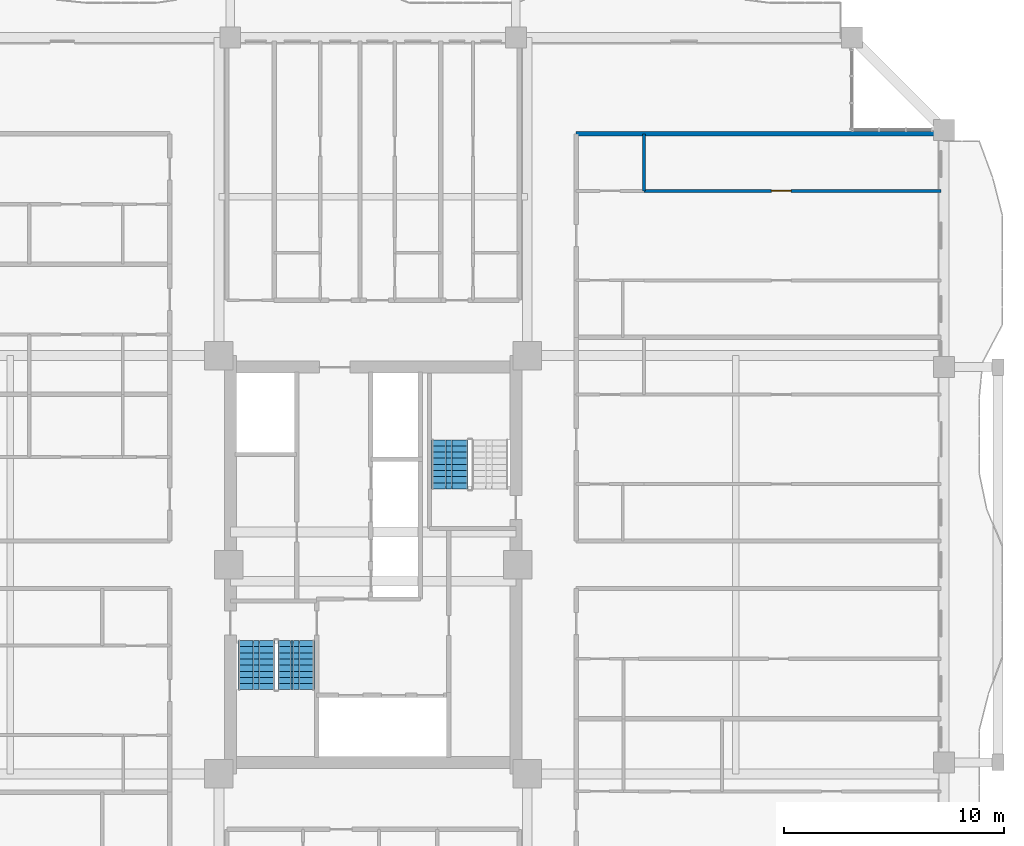
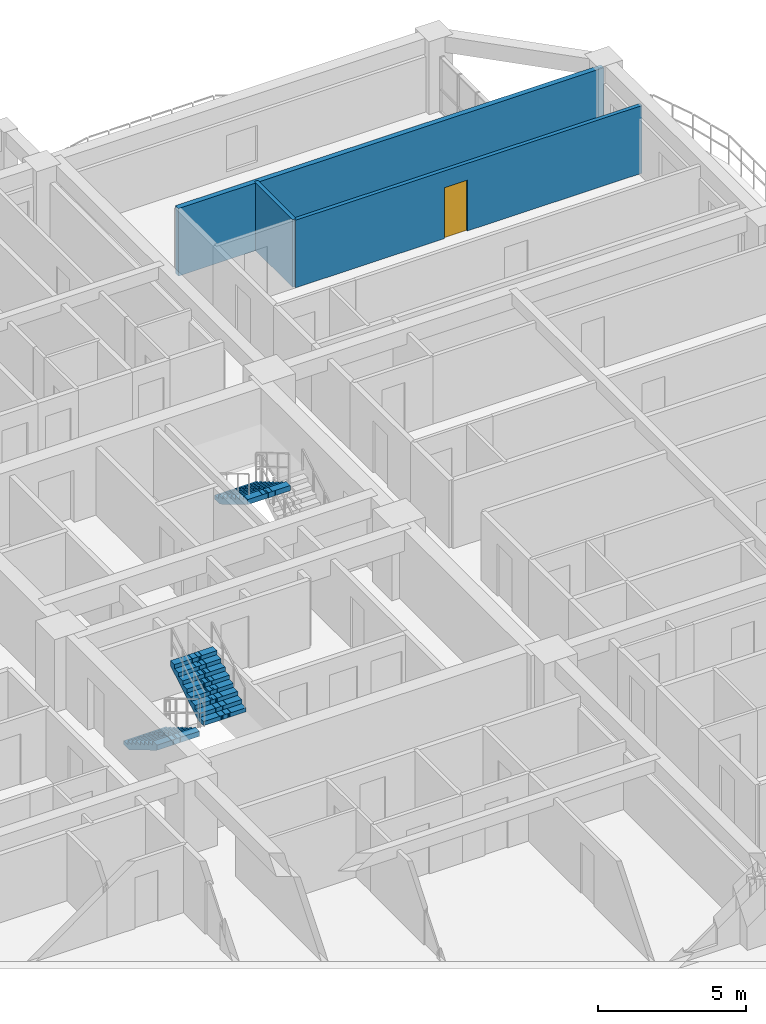
# One storey, part 21 of 26: 3 stair flights, 3 walls, 1 door, 1 opening, 2 elements without a shape of their own.
"""IFC4 building model written with IfcOpenShell, lengths in metres."""

from ifc_helpers import new_model, si_unit, direction, frame, frame_2d, origin, place, context, subcontext, project, spatial, polyline, rectangle, outline, extrude, source, transform, mapped, material, layer, layer_set, type_object, element, fill, aggregate, save


model = new_model("IFC4")

# Units and contexts
model_context = context("Model", 3, precision=1e-05, world=origin(), true_north=direction((0.0, 1.0)))
body_context = subcontext(model_context, "Body", "Model", "MODEL_VIEW")
ifc_project = project(units=[si_unit("LENGTHUNIT", "METRE"), si_unit("AREAUNIT", "SQUARE_METRE"), si_unit("VOLUMEUNIT", "CUBIC_METRE"), si_unit("PLANEANGLEUNIT", "RADIAN"), si_unit("MASSUNIT", "GRAM", prefix="KILO")], contexts=[model_context])

# Site, building, storey
site_placement = place(None, origin())
site = spatial("IfcSite", under=ifc_project, at=site_placement, CompositionType="ELEMENT")
building_placement = place(site_placement, origin())
building = spatial("IfcBuilding", under=site, at=building_placement, Name="Saelheon Loggia Tower", CompositionType="ELEMENT")
storey_placement = place(building_placement, frame((0.0, 0.0, 116.85009765625)))
storey = spatial("IfcBuildingStorey", under=building, at=storey_placement, Name="L37", CompositionType="ELEMENT", Elevation=116.85009765625)

# Wall
ifc_material_1 = material(Name="Lightweight Autoclaved Aerated Concrete Block and Acoustic Gypsum", Category="concrete")
ifc_layer_1 = layer(ifc_material_1, 0.14990234375)
ifc_layer_set_1 = layer_set([ifc_layer_1], Name="Lightweight Autoclaved Aerated Concrete Block and Acoustic Gypsum")
wall_type_1 = type_object("IfcWallType", Name="Wall_Part_150", PredefinedType="PARTITIONING", material=ifc_layer_set_1)
wall_1_placement = place(storey_placement, frame((50.330078125, 44.02001953125, 0.0), z_axis=(0.0, 0.0, 1.0), x_axis=(0.0, 1.0, 0.0)))
element("IfcWall", 1, at=wall_1_placement, inside=storey, type_object=wall_type_1, Name="L37 EN Partition V18", PredefinedType="PARTITIONING", context=body_context, shape_type="SweptSolid", body=[
    extrude(rectangle(XDim=2.60009765625, YDim=0.14990234375, at=frame_2d((1.300048828125, 0.0))), origin(), (0.0, 0.0, 1.0), 2.789794921875),
])

# Wall, opening, door
wall_2_placement = place(storey_placement, frame((50.330078125, 44.02001953125, 0.0), z_axis=(0.0, 0.0, 1.0), x_axis=(1.0, 0.0, 0.0)))
wall_2 = element("IfcWall", 2, at=wall_2_placement, inside=storey, type_object=wall_type_1, Name="L37 EN Partition U23", PredefinedType="PARTITIONING", context=body_context, shape_type="SweptSolid", body=[
    extrude(rectangle(XDim=13.52001953125, YDim=0.14990234375, at=frame_2d((6.760009765625, 0.0))), origin(), (0.0, 0.0, 1.0), 2.789794921875),
])
opening_placement = place(wall_2_placement, frame((5.80419921875, 0.0, 0.0)))
opening = element("IfcOpeningElement", 3, at=opening_placement, cuts=wall_2, Name="Opening D-IN2", PredefinedType="OPENING", context=body_context, shape_type="SweptSolid", body=[
    extrude(rectangle(XDim=0.89990234375, YDim=2.10009765625, at=frame_2d((0.449951171875, 1.050048828125))), frame((0.0, 0.0869140625, 0.0), z_axis=(0.0, -1.0, 0.0), x_axis=(1.0, 0.0, 0.0)), (0.0, 0.0, 1.0), 0.173828125),
])
ifc_material_2 = material(Name="Engineered Oak Flush Door", Category="timber")
door_type = type_object("IfcDoorType", Name="Door_Int_900", OperationType="NOTDEFINED", PredefinedType="DOOR", material=ifc_material_2)
shared_shape = source(origin(), body_context, "Body", "SweptSolid", [
    extrude(rectangle(XDim=0.89990234375, YDim=2.10009765625, at=frame_2d((0.449951171875, 1.050048828125))), frame((0.0, 0.02490234375, 0.0), z_axis=(0.0, -1.0, 0.0), x_axis=(1.0, 0.0, 0.0)), (0.0, 0.0, 1.0), 0.050048828125),
])
door_placement = place(opening_placement, origin())
door = element("IfcDoor", 4, at=door_placement, inside=storey, type_object=door_type, Name="Unit U14 Bedroom 1 Door", OperationType="SINGLE_SWING_LEFT", OverallHeight=2.10009765625, OverallWidth=0.89990234375, PredefinedType="DOOR", context=body_context, shape_type="MappedRepresentation", body=[
    mapped(shared_shape, transform((0.0, 0.0, 0.0), scale=1.0)),
])
fill(opening, door)

# Wall
ifc_material_3 = material(Name="Double Acoustic Stud and Fireboard Partition", Category="gypsum")
ifc_layer_2 = layer(ifc_material_3, 0.199951171875)
ifc_layer_set_2 = layer_set([ifc_layer_2], Name="Double Acoustic Stud and Fireboard Partition")
wall_type_2 = type_object("IfcWallType", Name="Wall_Party_200", PredefinedType="PARTITIONING", material=ifc_layer_set_2)
wall_3_placement = place(storey_placement, frame((47.25, 46.6201171875, 0.0), z_axis=(0.0, 0.0, 1.0), x_axis=(1.0, 0.0, 0.0)))
element("IfcWall", 5, at=wall_3_placement, inside=storey, type_object=wall_type_2, Name="L37 EN Partition U02", PredefinedType="PARTITIONING", context=body_context, shape_type="SweptSolid", body=[
    extrude(rectangle(XDim=16.60009765625, YDim=0.199951171875, at=frame_2d((8.300048828125, 0.0))), origin(), (0.0, 0.0, 1.0), 2.789794921875),
])

# Stair, stair flights
ifc_material_4 = material(Name="Concrete C40/50", Category="concrete")
stair_type = type_object("IfcStairType", Name="Stair_Escape_Core", PredefinedType="HALF_TURN_STAIR", material=ifc_material_4)
stair_1_placement = place(storey_placement, origin())
stair_1 = element("IfcStair", 6, at=stair_1_placement, inside=storey, type_object=stair_type, Name="L37 Special Escape Stair ST1", PredefinedType="HALF_TURN_STAIR")
stair_flight_type = type_object("IfcStairFlightType", Name="StairFlight_Tower_1660", PredefinedType="STRAIGHT", material=ifc_material_4)
stair_flight_1_placement = place(storey_placement, frame((32.679931640625, 23.550048828125, 0.0), z_axis=(0.0, 0.0, 1.0), x_axis=(0.0, -1.0, 0.0)))
stair_flight_1 = element("IfcStairFlight", 7, at=stair_flight_1_placement, type_object=stair_flight_type, Name="ST1 flight 1", NumberOfRisers=9, NumberOfTreads=8, PredefinedType="STRAIGHT", RiserHeight=0.166666667, TreadLength=0.28, context=body_context, shape_type="SweptSolid", body=[
    extrude(outline(polyline([(0.0, 0.0), (0.0, 0.166748046875), (0.280029296875, 0.166748046875), (0.280029296875, 0.333251953125), (0.56005859375, 0.333251953125), (0.56005859375, 0.5), (0.840087890625, 0.5), (0.840087890625, 0.666748046875), (1.1201171875, 0.666748046875), (1.1201171875, 0.833251953125), (1.39990234375, 0.833251953125), (1.39990234375, 1.0), (1.679931640625, 1.0), (1.679931640625, 1.166748046875), (1.9599609375, 1.166748046875), (1.9599609375, 1.333251953125), (2.239990234375, 1.333251953125), (2.239990234375, 1.5), (2.239990234375, 1.1240234375), (0.351806640625, 0.0), (0.0, 0.0)])), frame((0.0, -0.2490234375, 0.0), z_axis=(0.0, -1.0, 0.0), x_axis=(1.0, 0.0, 0.0)), (0.0, 0.0, 1.0), 0.5810546875),
    extrude(outline(polyline([(0.0, 0.0), (0.0, 0.166748046875), (0.280029296875, 0.166748046875), (0.280029296875, 0.333251953125), (0.56005859375, 0.333251953125), (0.56005859375, 0.5), (0.840087890625, 0.5), (0.840087890625, 0.666748046875), (1.1201171875, 0.666748046875), (1.1201171875, 0.833251953125), (1.39990234375, 0.833251953125), (1.39990234375, 1.0), (1.679931640625, 1.0), (1.679931640625, 1.166748046875), (1.9599609375, 1.166748046875), (1.9599609375, 1.333251953125), (2.239990234375, 1.333251953125), (2.239990234375, 1.5), (2.239990234375, 1.1240234375), (0.351806640625, 0.0), (0.0, 0.0)])), frame((0.0, -0.194091796875, 0.0), z_axis=(0.0, -1.0, 0.0), x_axis=(1.0, 0.0, 0.0)), (0.0, 0.0, 1.0), 0.0498046875),
    extrude(outline(polyline([(0.0, 0.0), (0.0, 0.166748046875), (0.280029296875, 0.166748046875), (0.280029296875, 0.333251953125), (0.56005859375, 0.333251953125), (0.56005859375, 0.5), (0.840087890625, 0.5), (0.840087890625, 0.666748046875), (1.1201171875, 0.666748046875), (1.1201171875, 0.833251953125), (1.39990234375, 0.833251953125), (1.39990234375, 1.0), (1.679931640625, 1.0), (1.679931640625, 1.166748046875), (1.9599609375, 1.166748046875), (1.9599609375, 1.333251953125), (2.239990234375, 1.333251953125), (2.239990234375, 1.5), (2.239990234375, 1.1240234375), (0.351806640625, 0.0), (0.0, 0.0)])), frame((0.0, -0.139404296875, 0.0), z_axis=(0.0, -1.0, 0.0), x_axis=(1.0, 0.0, 0.0)), (0.0, 0.0, 1.0), 0.0498046875),
    extrude(outline(polyline([(0.0, 0.0), (0.0, 0.166748046875), (0.280029296875, 0.166748046875), (0.280029296875, 0.333251953125), (0.56005859375, 0.333251953125), (0.56005859375, 0.5), (0.840087890625, 0.5), (0.840087890625, 0.666748046875), (1.1201171875, 0.666748046875), (1.1201171875, 0.833251953125), (1.39990234375, 0.833251953125), (1.39990234375, 1.0), (1.679931640625, 1.0), (1.679931640625, 1.166748046875), (1.9599609375, 1.166748046875), (1.9599609375, 1.333251953125), (2.239990234375, 1.333251953125), (2.239990234375, 1.5), (2.239990234375, 1.1240234375), (0.351806640625, 0.0), (0.0, 0.0)])), frame((0.0, -0.084716796875, 0.0), z_axis=(0.0, -1.0, 0.0), x_axis=(1.0, 0.0, 0.0)), (0.0, 0.0, 1.0), 0.0498046875),
    extrude(outline(polyline([(0.0, 0.0), (0.0, 0.166748046875), (0.280029296875, 0.166748046875), (0.280029296875, 0.333251953125), (0.56005859375, 0.333251953125), (0.56005859375, 0.5), (0.840087890625, 0.5), (0.840087890625, 0.666748046875), (1.1201171875, 0.666748046875), (1.1201171875, 0.833251953125), (1.39990234375, 0.833251953125), (1.39990234375, 1.0), (1.679931640625, 1.0), (1.679931640625, 1.166748046875), (1.9599609375, 1.166748046875), (1.9599609375, 1.333251953125), (2.239990234375, 1.333251953125), (2.239990234375, 1.5), (2.239990234375, 1.1240234375), (0.351806640625, 0.0), (0.0, 0.0)])), frame((0.0, -0.02978515625, 0.0), z_axis=(0.0, -1.0, 0.0), x_axis=(1.0, 0.0, 0.0)), (0.0, 0.0, 1.0), 0.0498046875),
    extrude(outline(polyline([(0.0, 0.0), (0.0, 0.166748046875), (0.280029296875, 0.166748046875), (0.280029296875, 0.333251953125), (0.56005859375, 0.333251953125), (0.56005859375, 0.5), (0.840087890625, 0.5), (0.840087890625, 0.666748046875), (1.1201171875, 0.666748046875), (1.1201171875, 0.833251953125), (1.39990234375, 0.833251953125), (1.39990234375, 1.0), (1.679931640625, 1.0), (1.679931640625, 1.166748046875), (1.9599609375, 1.166748046875), (1.9599609375, 1.333251953125), (2.239990234375, 1.333251953125), (2.239990234375, 1.5), (2.239990234375, 1.1240234375), (0.351806640625, 0.0), (0.0, 0.0)])), frame((0.0, 0.02490234375, 0.0), z_axis=(0.0, -1.0, 0.0), x_axis=(1.0, 0.0, 0.0)), (0.0, 0.0, 1.0), 0.0498046875),
    extrude(outline(polyline([(0.0, 0.0), (0.0, 0.166748046875), (0.280029296875, 0.166748046875), (0.280029296875, 0.333251953125), (0.56005859375, 0.333251953125), (0.56005859375, 0.5), (0.840087890625, 0.5), (0.840087890625, 0.666748046875), (1.1201171875, 0.666748046875), (1.1201171875, 0.833251953125), (1.39990234375, 0.833251953125), (1.39990234375, 1.0), (1.679931640625, 1.0), (1.679931640625, 1.166748046875), (1.9599609375, 1.166748046875), (1.9599609375, 1.333251953125), (2.239990234375, 1.333251953125), (2.239990234375, 1.5), (2.239990234375, 1.1240234375), (0.351806640625, 0.0), (0.0, 0.0)])), frame((0.0, 0.07958984375, 0.0), z_axis=(0.0, -1.0, 0.0), x_axis=(1.0, 0.0, 0.0)), (0.0, 0.0, 1.0), 0.0498046875),
    extrude(outline(polyline([(0.0, 0.0), (0.0, 0.166748046875), (0.280029296875, 0.166748046875), (0.280029296875, 0.333251953125), (0.56005859375, 0.333251953125), (0.56005859375, 0.5), (0.840087890625, 0.5), (0.840087890625, 0.666748046875), (1.1201171875, 0.666748046875), (1.1201171875, 0.833251953125), (1.39990234375, 0.833251953125), (1.39990234375, 1.0), (1.679931640625, 1.0), (1.679931640625, 1.166748046875), (1.9599609375, 1.166748046875), (1.9599609375, 1.333251953125), (2.239990234375, 1.333251953125), (2.239990234375, 1.5), (2.239990234375, 1.1240234375), (0.351806640625, 0.0), (0.0, 0.0)])), frame((0.0, 0.134521484375, 0.0), z_axis=(0.0, -1.0, 0.0), x_axis=(1.0, 0.0, 0.0)), (0.0, 0.0, 1.0), 0.0498046875),
    extrude(outline(polyline([(0.0, 0.0), (0.0, 0.166748046875), (0.280029296875, 0.166748046875), (0.280029296875, 0.333251953125), (0.56005859375, 0.333251953125), (0.56005859375, 0.5), (0.840087890625, 0.5), (0.840087890625, 0.666748046875), (1.1201171875, 0.666748046875), (1.1201171875, 0.833251953125), (1.39990234375, 0.833251953125), (1.39990234375, 1.0), (1.679931640625, 1.0), (1.679931640625, 1.166748046875), (1.9599609375, 1.166748046875), (1.9599609375, 1.333251953125), (2.239990234375, 1.333251953125), (2.239990234375, 1.5), (2.239990234375, 1.1240234375), (0.351806640625, 0.0), (0.0, 0.0)])), frame((0.0, 0.189208984375, 0.0), z_axis=(0.0, -1.0, 0.0), x_axis=(1.0, 0.0, 0.0)), (0.0, 0.0, 1.0), 0.0498046875),
    extrude(outline(polyline([(0.0, 0.0), (0.0, 0.166748046875), (0.280029296875, 0.166748046875), (0.280029296875, 0.333251953125), (0.56005859375, 0.333251953125), (0.56005859375, 0.5), (0.840087890625, 0.5), (0.840087890625, 0.666748046875), (1.1201171875, 0.666748046875), (1.1201171875, 0.833251953125), (1.39990234375, 0.833251953125), (1.39990234375, 1.0), (1.679931640625, 1.0), (1.679931640625, 1.166748046875), (1.9599609375, 1.166748046875), (1.9599609375, 1.333251953125), (2.239990234375, 1.333251953125), (2.239990234375, 1.5), (2.239990234375, 1.1240234375), (0.351806640625, 0.0), (0.0, 0.0)])), frame((0.0, 0.243896484375, 0.0), z_axis=(0.0, -1.0, 0.0), x_axis=(1.0, 0.0, 0.0)), (0.0, 0.0, 1.0), 0.0498046875),
    extrude(outline(polyline([(0.0, 0.0), (0.0, 0.166748046875), (0.280029296875, 0.166748046875), (0.280029296875, 0.333251953125), (0.56005859375, 0.333251953125), (0.56005859375, 0.5), (0.840087890625, 0.5), (0.840087890625, 0.666748046875), (1.1201171875, 0.666748046875), (1.1201171875, 0.833251953125), (1.39990234375, 0.833251953125), (1.39990234375, 1.0), (1.679931640625, 1.0), (1.679931640625, 1.166748046875), (1.9599609375, 1.166748046875), (1.9599609375, 1.333251953125), (2.239990234375, 1.333251953125), (2.239990234375, 1.5), (2.239990234375, 1.1240234375), (0.351806640625, 0.0), (0.0, 0.0)])), frame((0.0, 0.830078125, 0.0), z_axis=(0.0, -1.0, 0.0), x_axis=(1.0, 0.0, 0.0)), (0.0, 0.0, 1.0), 0.5810546875),
])
stair_flight_2_placement = place(storey_placement, frame((34.5, 21.31005859375, 1.5), z_axis=(0.0, 0.0, 1.0), x_axis=(0.0, 1.0, 0.0)))
stair_flight_2 = element("IfcStairFlight", 8, at=stair_flight_2_placement, type_object=stair_flight_type, Name="ST1 flight 2", NumberOfRisers=9, NumberOfTreads=8, PredefinedType="STRAIGHT", RiserHeight=0.166666667, TreadLength=0.28, context=body_context, shape_type="SweptSolid", body=[
    extrude(outline(polyline([(0.0, 0.0), (0.0, 0.166748046875), (0.280029296875, 0.166748046875), (0.280029296875, 0.333251953125), (0.56005859375, 0.333251953125), (0.56005859375, 0.5), (0.840087890625, 0.5), (0.840087890625, 0.666748046875), (1.1201171875, 0.666748046875), (1.1201171875, 0.833251953125), (1.39990234375, 0.833251953125), (1.39990234375, 1.0), (1.679931640625, 1.0), (1.679931640625, 1.166748046875), (1.9599609375, 1.166748046875), (1.9599609375, 1.333251953125), (2.239990234375, 1.333251953125), (2.239990234375, 1.5), (2.239990234375, 1.1240234375), (0.351806640625, 0.0), (0.0, 0.0)])), frame((0.0, -0.2490234375, 0.0), z_axis=(0.0, -1.0, 0.0), x_axis=(1.0, 0.0, 0.0)), (0.0, 0.0, 1.0), 0.5810546875),
    extrude(outline(polyline([(0.0, 0.0), (0.0, 0.166748046875), (0.280029296875, 0.166748046875), (0.280029296875, 0.333251953125), (0.56005859375, 0.333251953125), (0.56005859375, 0.5), (0.840087890625, 0.5), (0.840087890625, 0.666748046875), (1.1201171875, 0.666748046875), (1.1201171875, 0.833251953125), (1.39990234375, 0.833251953125), (1.39990234375, 1.0), (1.679931640625, 1.0), (1.679931640625, 1.166748046875), (1.9599609375, 1.166748046875), (1.9599609375, 1.333251953125), (2.239990234375, 1.333251953125), (2.239990234375, 1.5), (2.239990234375, 1.1240234375), (0.351806640625, 0.0), (0.0, 0.0)])), frame((0.0, -0.194091796875, 0.0), z_axis=(0.0, -1.0, 0.0), x_axis=(1.0, 0.0, 0.0)), (0.0, 0.0, 1.0), 0.0498046875),
    extrude(outline(polyline([(0.0, 0.0), (0.0, 0.166748046875), (0.280029296875, 0.166748046875), (0.280029296875, 0.333251953125), (0.56005859375, 0.333251953125), (0.56005859375, 0.5), (0.840087890625, 0.5), (0.840087890625, 0.666748046875), (1.1201171875, 0.666748046875), (1.1201171875, 0.833251953125), (1.39990234375, 0.833251953125), (1.39990234375, 1.0), (1.679931640625, 1.0), (1.679931640625, 1.166748046875), (1.9599609375, 1.166748046875), (1.9599609375, 1.333251953125), (2.239990234375, 1.333251953125), (2.239990234375, 1.5), (2.239990234375, 1.1240234375), (0.351806640625, 0.0), (0.0, 0.0)])), frame((0.0, -0.139404296875, 0.0), z_axis=(0.0, -1.0, 0.0), x_axis=(1.0, 0.0, 0.0)), (0.0, 0.0, 1.0), 0.0498046875),
    extrude(outline(polyline([(0.0, 0.0), (0.0, 0.166748046875), (0.280029296875, 0.166748046875), (0.280029296875, 0.333251953125), (0.56005859375, 0.333251953125), (0.56005859375, 0.5), (0.840087890625, 0.5), (0.840087890625, 0.666748046875), (1.1201171875, 0.666748046875), (1.1201171875, 0.833251953125), (1.39990234375, 0.833251953125), (1.39990234375, 1.0), (1.679931640625, 1.0), (1.679931640625, 1.166748046875), (1.9599609375, 1.166748046875), (1.9599609375, 1.333251953125), (2.239990234375, 1.333251953125), (2.239990234375, 1.5), (2.239990234375, 1.1240234375), (0.351806640625, 0.0), (0.0, 0.0)])), frame((0.0, -0.084716796875, 0.0), z_axis=(0.0, -1.0, 0.0), x_axis=(1.0, 0.0, 0.0)), (0.0, 0.0, 1.0), 0.0498046875),
    extrude(outline(polyline([(0.0, 0.0), (0.0, 0.166748046875), (0.280029296875, 0.166748046875), (0.280029296875, 0.333251953125), (0.56005859375, 0.333251953125), (0.56005859375, 0.5), (0.840087890625, 0.5), (0.840087890625, 0.666748046875), (1.1201171875, 0.666748046875), (1.1201171875, 0.833251953125), (1.39990234375, 0.833251953125), (1.39990234375, 1.0), (1.679931640625, 1.0), (1.679931640625, 1.166748046875), (1.9599609375, 1.166748046875), (1.9599609375, 1.333251953125), (2.239990234375, 1.333251953125), (2.239990234375, 1.5), (2.239990234375, 1.1240234375), (0.351806640625, 0.0), (0.0, 0.0)])), frame((0.0, -0.02978515625, 0.0), z_axis=(0.0, -1.0, 0.0), x_axis=(1.0, 0.0, 0.0)), (0.0, 0.0, 1.0), 0.0498046875),
    extrude(outline(polyline([(0.0, 0.0), (0.0, 0.166748046875), (0.280029296875, 0.166748046875), (0.280029296875, 0.333251953125), (0.56005859375, 0.333251953125), (0.56005859375, 0.5), (0.840087890625, 0.5), (0.840087890625, 0.666748046875), (1.1201171875, 0.666748046875), (1.1201171875, 0.833251953125), (1.39990234375, 0.833251953125), (1.39990234375, 1.0), (1.679931640625, 1.0), (1.679931640625, 1.166748046875), (1.9599609375, 1.166748046875), (1.9599609375, 1.333251953125), (2.239990234375, 1.333251953125), (2.239990234375, 1.5), (2.239990234375, 1.1240234375), (0.351806640625, 0.0), (0.0, 0.0)])), frame((0.0, 0.02490234375, 0.0), z_axis=(0.0, -1.0, 0.0), x_axis=(1.0, 0.0, 0.0)), (0.0, 0.0, 1.0), 0.0498046875),
    extrude(outline(polyline([(0.0, 0.0), (0.0, 0.166748046875), (0.280029296875, 0.166748046875), (0.280029296875, 0.333251953125), (0.56005859375, 0.333251953125), (0.56005859375, 0.5), (0.840087890625, 0.5), (0.840087890625, 0.666748046875), (1.1201171875, 0.666748046875), (1.1201171875, 0.833251953125), (1.39990234375, 0.833251953125), (1.39990234375, 1.0), (1.679931640625, 1.0), (1.679931640625, 1.166748046875), (1.9599609375, 1.166748046875), (1.9599609375, 1.333251953125), (2.239990234375, 1.333251953125), (2.239990234375, 1.5), (2.239990234375, 1.1240234375), (0.351806640625, 0.0), (0.0, 0.0)])), frame((0.0, 0.07958984375, 0.0), z_axis=(0.0, -1.0, 0.0), x_axis=(1.0, 0.0, 0.0)), (0.0, 0.0, 1.0), 0.0498046875),
    extrude(outline(polyline([(0.0, 0.0), (0.0, 0.166748046875), (0.280029296875, 0.166748046875), (0.280029296875, 0.333251953125), (0.56005859375, 0.333251953125), (0.56005859375, 0.5), (0.840087890625, 0.5), (0.840087890625, 0.666748046875), (1.1201171875, 0.666748046875), (1.1201171875, 0.833251953125), (1.39990234375, 0.833251953125), (1.39990234375, 1.0), (1.679931640625, 1.0), (1.679931640625, 1.166748046875), (1.9599609375, 1.166748046875), (1.9599609375, 1.333251953125), (2.239990234375, 1.333251953125), (2.239990234375, 1.5), (2.239990234375, 1.1240234375), (0.351806640625, 0.0), (0.0, 0.0)])), frame((0.0, 0.134521484375, 0.0), z_axis=(0.0, -1.0, 0.0), x_axis=(1.0, 0.0, 0.0)), (0.0, 0.0, 1.0), 0.0498046875),
    extrude(outline(polyline([(0.0, 0.0), (0.0, 0.166748046875), (0.280029296875, 0.166748046875), (0.280029296875, 0.333251953125), (0.56005859375, 0.333251953125), (0.56005859375, 0.5), (0.840087890625, 0.5), (0.840087890625, 0.666748046875), (1.1201171875, 0.666748046875), (1.1201171875, 0.833251953125), (1.39990234375, 0.833251953125), (1.39990234375, 1.0), (1.679931640625, 1.0), (1.679931640625, 1.166748046875), (1.9599609375, 1.166748046875), (1.9599609375, 1.333251953125), (2.239990234375, 1.333251953125), (2.239990234375, 1.5), (2.239990234375, 1.1240234375), (0.351806640625, 0.0), (0.0, 0.0)])), frame((0.0, 0.189208984375, 0.0), z_axis=(0.0, -1.0, 0.0), x_axis=(1.0, 0.0, 0.0)), (0.0, 0.0, 1.0), 0.0498046875),
    extrude(outline(polyline([(0.0, 0.0), (0.0, 0.166748046875), (0.280029296875, 0.166748046875), (0.280029296875, 0.333251953125), (0.56005859375, 0.333251953125), (0.56005859375, 0.5), (0.840087890625, 0.5), (0.840087890625, 0.666748046875), (1.1201171875, 0.666748046875), (1.1201171875, 0.833251953125), (1.39990234375, 0.833251953125), (1.39990234375, 1.0), (1.679931640625, 1.0), (1.679931640625, 1.166748046875), (1.9599609375, 1.166748046875), (1.9599609375, 1.333251953125), (2.239990234375, 1.333251953125), (2.239990234375, 1.5), (2.239990234375, 1.1240234375), (0.351806640625, 0.0), (0.0, 0.0)])), frame((0.0, 0.243896484375, 0.0), z_axis=(0.0, -1.0, 0.0), x_axis=(1.0, 0.0, 0.0)), (0.0, 0.0, 1.0), 0.0498046875),
    extrude(outline(polyline([(0.0, 0.0), (0.0, 0.166748046875), (0.280029296875, 0.166748046875), (0.280029296875, 0.333251953125), (0.56005859375, 0.333251953125), (0.56005859375, 0.5), (0.840087890625, 0.5), (0.840087890625, 0.666748046875), (1.1201171875, 0.666748046875), (1.1201171875, 0.833251953125), (1.39990234375, 0.833251953125), (1.39990234375, 1.0), (1.679931640625, 1.0), (1.679931640625, 1.166748046875), (1.9599609375, 1.166748046875), (1.9599609375, 1.333251953125), (2.239990234375, 1.333251953125), (2.239990234375, 1.5), (2.239990234375, 1.1240234375), (0.351806640625, 0.0), (0.0, 0.0)])), frame((0.0, 0.830078125, 0.0), z_axis=(0.0, -1.0, 0.0), x_axis=(1.0, 0.0, 0.0)), (0.0, 0.0, 1.0), 0.5810546875),
])
aggregate(stair_1, [stair_flight_1, stair_flight_2])

# Stair, stair flight
stair_2_placement = place(storey_placement, origin())
stair_2 = element("IfcStair", 9, at=stair_2_placement, inside=storey, type_object=stair_type, Name="L37 Special Escape Stair ST2", PredefinedType="HALF_TURN_STAIR")
stair_flight_3_placement = place(storey_placement, frame((41.5, 32.68994140625, 1.5), z_axis=(0.0, 0.0, 1.0), x_axis=(0.0, -1.0, 0.0)))
stair_flight_3 = element("IfcStairFlight", 10, at=stair_flight_3_placement, type_object=stair_flight_type, Name="ST2 flight 2", NumberOfRisers=9, NumberOfTreads=8, PredefinedType="STRAIGHT", RiserHeight=0.166666667, TreadLength=0.28, context=body_context, shape_type="SweptSolid", body=[
    extrude(outline(polyline([(0.0, 0.0), (0.0, 0.166748046875), (0.280029296875, 0.166748046875), (0.280029296875, 0.333251953125), (0.56005859375, 0.333251953125), (0.56005859375, 0.5), (0.840087890625, 0.5), (0.840087890625, 0.666748046875), (1.1201171875, 0.666748046875), (1.1201171875, 0.833251953125), (1.39990234375, 0.833251953125), (1.39990234375, 1.0), (1.679931640625, 1.0), (1.679931640625, 1.166748046875), (1.9599609375, 1.166748046875), (1.9599609375, 1.333251953125), (2.239990234375, 1.333251953125), (2.239990234375, 1.5), (2.239990234375, 1.1240234375), (0.351806640625, 0.0), (0.0, 0.0)])), frame((0.0, -0.2490234375, 0.0), z_axis=(0.0, -1.0, 0.0), x_axis=(1.0, 0.0, 0.0)), (0.0, 0.0, 1.0), 0.5810546875),
    extrude(outline(polyline([(0.0, 0.0), (0.0, 0.166748046875), (0.280029296875, 0.166748046875), (0.280029296875, 0.333251953125), (0.56005859375, 0.333251953125), (0.56005859375, 0.5), (0.840087890625, 0.5), (0.840087890625, 0.666748046875), (1.1201171875, 0.666748046875), (1.1201171875, 0.833251953125), (1.39990234375, 0.833251953125), (1.39990234375, 1.0), (1.679931640625, 1.0), (1.679931640625, 1.166748046875), (1.9599609375, 1.166748046875), (1.9599609375, 1.333251953125), (2.239990234375, 1.333251953125), (2.239990234375, 1.5), (2.239990234375, 1.1240234375), (0.351806640625, 0.0), (0.0, 0.0)])), frame((0.0, -0.194091796875, 0.0), z_axis=(0.0, -1.0, 0.0), x_axis=(1.0, 0.0, 0.0)), (0.0, 0.0, 1.0), 0.0498046875),
    extrude(outline(polyline([(0.0, 0.0), (0.0, 0.166748046875), (0.280029296875, 0.166748046875), (0.280029296875, 0.333251953125), (0.56005859375, 0.333251953125), (0.56005859375, 0.5), (0.840087890625, 0.5), (0.840087890625, 0.666748046875), (1.1201171875, 0.666748046875), (1.1201171875, 0.833251953125), (1.39990234375, 0.833251953125), (1.39990234375, 1.0), (1.679931640625, 1.0), (1.679931640625, 1.166748046875), (1.9599609375, 1.166748046875), (1.9599609375, 1.333251953125), (2.239990234375, 1.333251953125), (2.239990234375, 1.5), (2.239990234375, 1.1240234375), (0.351806640625, 0.0), (0.0, 0.0)])), frame((0.0, -0.139404296875, 0.0), z_axis=(0.0, -1.0, 0.0), x_axis=(1.0, 0.0, 0.0)), (0.0, 0.0, 1.0), 0.0498046875),
    extrude(outline(polyline([(0.0, 0.0), (0.0, 0.166748046875), (0.280029296875, 0.166748046875), (0.280029296875, 0.333251953125), (0.56005859375, 0.333251953125), (0.56005859375, 0.5), (0.840087890625, 0.5), (0.840087890625, 0.666748046875), (1.1201171875, 0.666748046875), (1.1201171875, 0.833251953125), (1.39990234375, 0.833251953125), (1.39990234375, 1.0), (1.679931640625, 1.0), (1.679931640625, 1.166748046875), (1.9599609375, 1.166748046875), (1.9599609375, 1.333251953125), (2.239990234375, 1.333251953125), (2.239990234375, 1.5), (2.239990234375, 1.1240234375), (0.351806640625, 0.0), (0.0, 0.0)])), frame((0.0, -0.084716796875, 0.0), z_axis=(0.0, -1.0, 0.0), x_axis=(1.0, 0.0, 0.0)), (0.0, 0.0, 1.0), 0.0498046875),
    extrude(outline(polyline([(0.0, 0.0), (0.0, 0.166748046875), (0.280029296875, 0.166748046875), (0.280029296875, 0.333251953125), (0.56005859375, 0.333251953125), (0.56005859375, 0.5), (0.840087890625, 0.5), (0.840087890625, 0.666748046875), (1.1201171875, 0.666748046875), (1.1201171875, 0.833251953125), (1.39990234375, 0.833251953125), (1.39990234375, 1.0), (1.679931640625, 1.0), (1.679931640625, 1.166748046875), (1.9599609375, 1.166748046875), (1.9599609375, 1.333251953125), (2.239990234375, 1.333251953125), (2.239990234375, 1.5), (2.239990234375, 1.1240234375), (0.351806640625, 0.0), (0.0, 0.0)])), frame((0.0, -0.02978515625, 0.0), z_axis=(0.0, -1.0, 0.0), x_axis=(1.0, 0.0, 0.0)), (0.0, 0.0, 1.0), 0.0498046875),
    extrude(outline(polyline([(0.0, 0.0), (0.0, 0.166748046875), (0.280029296875, 0.166748046875), (0.280029296875, 0.333251953125), (0.56005859375, 0.333251953125), (0.56005859375, 0.5), (0.840087890625, 0.5), (0.840087890625, 0.666748046875), (1.1201171875, 0.666748046875), (1.1201171875, 0.833251953125), (1.39990234375, 0.833251953125), (1.39990234375, 1.0), (1.679931640625, 1.0), (1.679931640625, 1.166748046875), (1.9599609375, 1.166748046875), (1.9599609375, 1.333251953125), (2.239990234375, 1.333251953125), (2.239990234375, 1.5), (2.239990234375, 1.1240234375), (0.351806640625, 0.0), (0.0, 0.0)])), frame((0.0, 0.02490234375, 0.0), z_axis=(0.0, -1.0, 0.0), x_axis=(1.0, 0.0, 0.0)), (0.0, 0.0, 1.0), 0.0498046875),
    extrude(outline(polyline([(0.0, 0.0), (0.0, 0.166748046875), (0.280029296875, 0.166748046875), (0.280029296875, 0.333251953125), (0.56005859375, 0.333251953125), (0.56005859375, 0.5), (0.840087890625, 0.5), (0.840087890625, 0.666748046875), (1.1201171875, 0.666748046875), (1.1201171875, 0.833251953125), (1.39990234375, 0.833251953125), (1.39990234375, 1.0), (1.679931640625, 1.0), (1.679931640625, 1.166748046875), (1.9599609375, 1.166748046875), (1.9599609375, 1.333251953125), (2.239990234375, 1.333251953125), (2.239990234375, 1.5), (2.239990234375, 1.1240234375), (0.351806640625, 0.0), (0.0, 0.0)])), frame((0.0, 0.07958984375, 0.0), z_axis=(0.0, -1.0, 0.0), x_axis=(1.0, 0.0, 0.0)), (0.0, 0.0, 1.0), 0.0498046875),
    extrude(outline(polyline([(0.0, 0.0), (0.0, 0.166748046875), (0.280029296875, 0.166748046875), (0.280029296875, 0.333251953125), (0.56005859375, 0.333251953125), (0.56005859375, 0.5), (0.840087890625, 0.5), (0.840087890625, 0.666748046875), (1.1201171875, 0.666748046875), (1.1201171875, 0.833251953125), (1.39990234375, 0.833251953125), (1.39990234375, 1.0), (1.679931640625, 1.0), (1.679931640625, 1.166748046875), (1.9599609375, 1.166748046875), (1.9599609375, 1.333251953125), (2.239990234375, 1.333251953125), (2.239990234375, 1.5), (2.239990234375, 1.1240234375), (0.351806640625, 0.0), (0.0, 0.0)])), frame((0.0, 0.134521484375, 0.0), z_axis=(0.0, -1.0, 0.0), x_axis=(1.0, 0.0, 0.0)), (0.0, 0.0, 1.0), 0.0498046875),
    extrude(outline(polyline([(0.0, 0.0), (0.0, 0.166748046875), (0.280029296875, 0.166748046875), (0.280029296875, 0.333251953125), (0.56005859375, 0.333251953125), (0.56005859375, 0.5), (0.840087890625, 0.5), (0.840087890625, 0.666748046875), (1.1201171875, 0.666748046875), (1.1201171875, 0.833251953125), (1.39990234375, 0.833251953125), (1.39990234375, 1.0), (1.679931640625, 1.0), (1.679931640625, 1.166748046875), (1.9599609375, 1.166748046875), (1.9599609375, 1.333251953125), (2.239990234375, 1.333251953125), (2.239990234375, 1.5), (2.239990234375, 1.1240234375), (0.351806640625, 0.0), (0.0, 0.0)])), frame((0.0, 0.189208984375, 0.0), z_axis=(0.0, -1.0, 0.0), x_axis=(1.0, 0.0, 0.0)), (0.0, 0.0, 1.0), 0.0498046875),
    extrude(outline(polyline([(0.0, 0.0), (0.0, 0.166748046875), (0.280029296875, 0.166748046875), (0.280029296875, 0.333251953125), (0.56005859375, 0.333251953125), (0.56005859375, 0.5), (0.840087890625, 0.5), (0.840087890625, 0.666748046875), (1.1201171875, 0.666748046875), (1.1201171875, 0.833251953125), (1.39990234375, 0.833251953125), (1.39990234375, 1.0), (1.679931640625, 1.0), (1.679931640625, 1.166748046875), (1.9599609375, 1.166748046875), (1.9599609375, 1.333251953125), (2.239990234375, 1.333251953125), (2.239990234375, 1.5), (2.239990234375, 1.1240234375), (0.351806640625, 0.0), (0.0, 0.0)])), frame((0.0, 0.243896484375, 0.0), z_axis=(0.0, -1.0, 0.0), x_axis=(1.0, 0.0, 0.0)), (0.0, 0.0, 1.0), 0.0498046875),
    extrude(outline(polyline([(0.0, 0.0), (0.0, 0.166748046875), (0.280029296875, 0.166748046875), (0.280029296875, 0.333251953125), (0.56005859375, 0.333251953125), (0.56005859375, 0.5), (0.840087890625, 0.5), (0.840087890625, 0.666748046875), (1.1201171875, 0.666748046875), (1.1201171875, 0.833251953125), (1.39990234375, 0.833251953125), (1.39990234375, 1.0), (1.679931640625, 1.0), (1.679931640625, 1.166748046875), (1.9599609375, 1.166748046875), (1.9599609375, 1.333251953125), (2.239990234375, 1.333251953125), (2.239990234375, 1.5), (2.239990234375, 1.1240234375), (0.351806640625, 0.0), (0.0, 0.0)])), frame((0.0, 0.830078125, 0.0), z_axis=(0.0, -1.0, 0.0), x_axis=(1.0, 0.0, 0.0)), (0.0, 0.0, 1.0), 0.5810546875),
])
aggregate(stair_2, [stair_flight_3])

save(model, "model.ifc")
